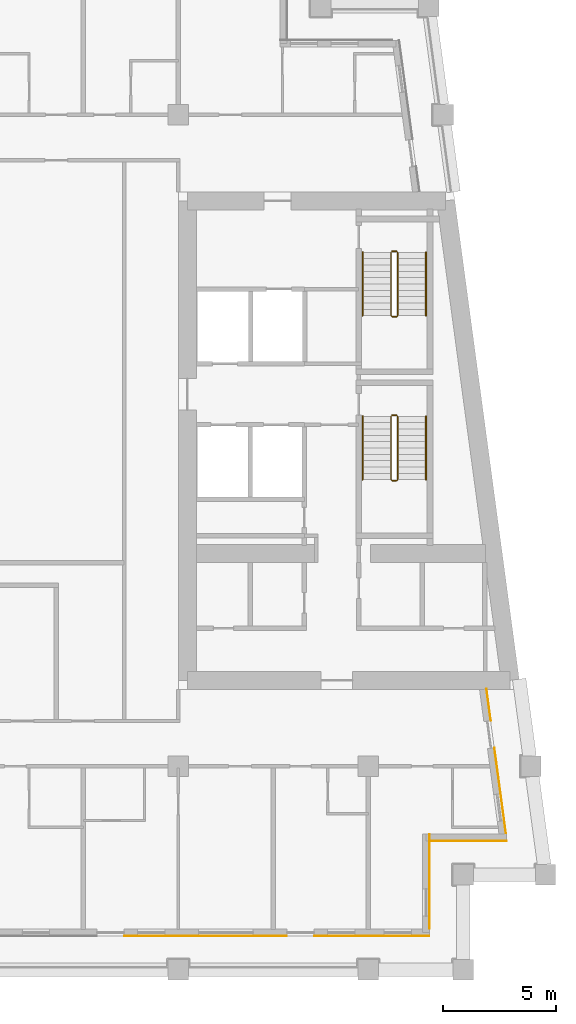
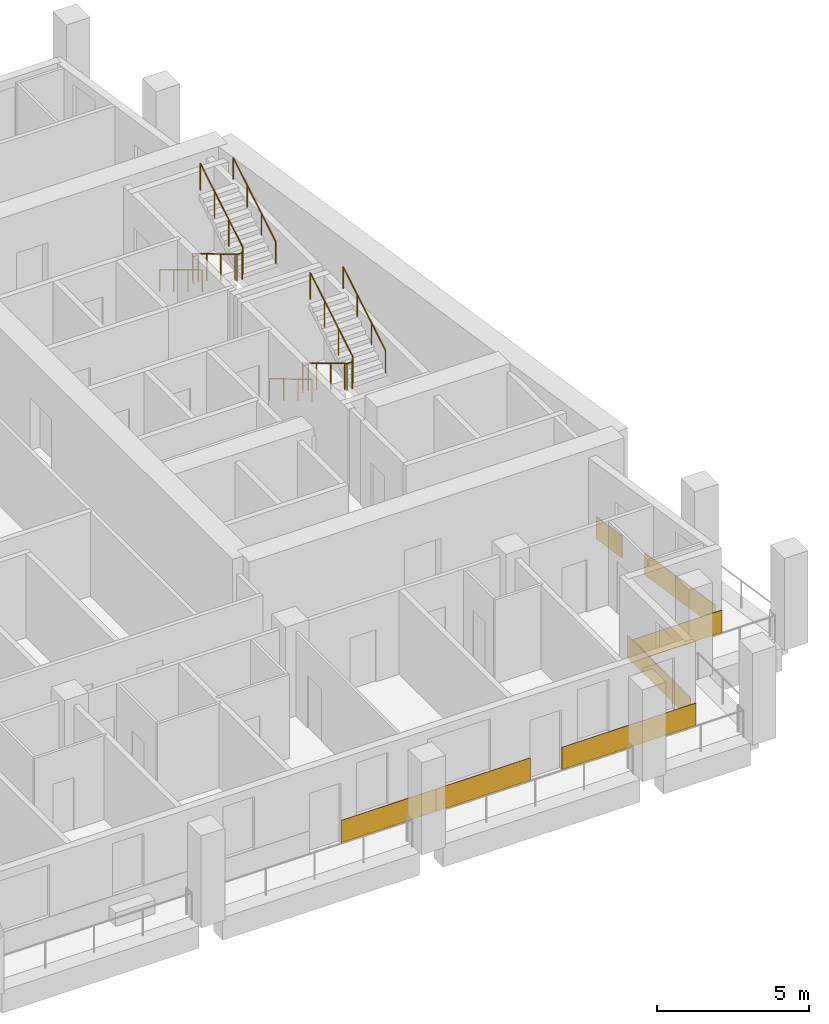
# One storey, part 11 of 13: 8 railings, 7 coverings.
"""IFC4 building model written with IfcOpenShell, lengths in metres."""

from ifc_helpers import new_model, si_unit, direction, frame, origin, origin_2d, place, context, subcontext, project, spatial, rectangle, circle, extrude, material, layer, layer_set, type_object, element, save


model = new_model("IFC4")

# Units and contexts
model_context = context("Model", 3, precision=1e-05, world=origin(), true_north=direction((0.0, 1.0)))
body_context = subcontext(model_context, "Body", "Model", "MODEL_VIEW")
ifc_project = project(units=[si_unit("LENGTHUNIT", "METRE"), si_unit("AREAUNIT", "SQUARE_METRE"), si_unit("VOLUMEUNIT", "CUBIC_METRE"), si_unit("PLANEANGLEUNIT", "RADIAN"), si_unit("MASSUNIT", "GRAM", prefix="KILO")], contexts=[model_context])

# Site, building, storey
site_placement = place(None, origin())
site = spatial("IfcSite", under=ifc_project, at=site_placement, CompositionType="ELEMENT")
building_placement = place(site_placement, origin())
building = spatial("IfcBuilding", under=site, at=building_placement, Name="Candeia Pilgrim Tower and Theatre", CompositionType="ELEMENT")
storey_placement = place(building_placement, frame((0.0, 0.0, 205.89990234375)))
storey = spatial("IfcBuildingStorey", under=building, at=storey_placement, Name="L49", CompositionType="ELEMENT", Elevation=205.89990234375)

# Coverings
ifc_material_1 = material(Name="Glazed ceramic tile bottle green")
ifc_layer_1 = layer(ifc_material_1, 0.02001953125)
ifc_layer_set_1 = layer_set([ifc_layer_1], Name="Glazed ceramic tile bottle green")
covering_type_1 = type_object("IfcCoveringType", Name="Glazed ceramic tile bottle green", PredefinedType="CLADDING", material=ifc_layer_set_1)
covering_1_placement = place(storey_placement, frame((125.39990234375, 99.489990234375, 0.000244140625), z_axis=(0.0, 0.0, 1.0), x_axis=(1.0, 0.0, 0.0)))
element("IfcCovering", 1, at=covering_1_placement, inside=storey, type_object=covering_type_1, Name="Tile cladding bottle green L49", PredefinedType="CLADDING", context=body_context, shape_type="SweptSolid", body=[
    extrude(rectangle(XDim=3.60009765625, YDim=0.02001953125, at=origin_2d()), origin(), (0.0, 0.0, 1.0), 0.89990234375),
])
covering_2_placement = place(storey_placement, frame((137.110107421875, 101.909912109375, 0.000244140625), z_axis=(0.0, 0.0, 1.0), x_axis=(0.0, 1.0, 0.0)))
element("IfcCovering", 2, at=covering_2_placement, inside=storey, type_object=covering_type_1, Name="Tile cladding bottle green L49", PredefinedType="CLADDING", context=body_context, shape_type="SweptSolid", body=[
    extrude(rectangle(XDim=4.179931640625, YDim=0.02001953125, at=origin_2d()), origin(), (0.0, 0.0, 1.0), 0.89990234375),
])
covering_3_placement = place(storey_placement, frame((140.228515625, 105.933349609375, 0.000244140625), z_axis=(0.0, 0.0, 1.0), x_axis=(-0.133412012145, 0.991060661622, 0.0)))
element("IfcCovering", 3, at=covering_3_placement, inside=storey, type_object=covering_type_1, Name="Tile cladding bottle green L49", PredefinedType="CLADDING", context=body_context, shape_type="SweptSolid", body=[
    extrude(rectangle(XDim=3.821044921875, YDim=0.02001953125, at=origin_2d()), origin(), (0.0, 0.0, 1.0), 0.89990234375),
])
covering_4_placement = place(storey_placement, frame((139.718994140625, 109.71875, 0.000244140625), z_axis=(0.0, 0.0, 1.0), x_axis=(-0.133412012145, 0.991060661622, 0.0)))
element("IfcCovering", 4, at=covering_4_placement, inside=storey, type_object=covering_type_1, Name="Tile cladding bottle green L49", PredefinedType="CLADDING", context=body_context, shape_type="SweptSolid", body=[
    extrude(rectangle(XDim=1.41796875, YDim=0.02001953125, at=origin_2d()), origin(), (0.0, 0.0, 1.0), 0.89990234375),
])
ifc_material_2 = material(Name="Glazed ceramic tile rust")
ifc_layer_2 = layer(ifc_material_2, 0.02001953125)
ifc_layer_set_2 = layer_set([ifc_layer_2], Name="Glazed ceramic tile rust")
covering_type_2 = type_object("IfcCoveringType", Name="Glazed ceramic tile rust", PredefinedType="CLADDING", material=ifc_layer_set_2)
covering_5_placement = place(storey_placement, frame((129.0, 99.489990234375, 0.000244140625), z_axis=(0.0, 0.0, 1.0), x_axis=(1.0, 0.0, 0.0)))
element("IfcCovering", 5, at=covering_5_placement, inside=storey, type_object=covering_type_2, Name="Tile cladding rust L49", PredefinedType="CLADDING", context=body_context, shape_type="SweptSolid", body=[
    extrude(rectangle(XDim=3.60009765625, YDim=0.02001953125, at=origin_2d()), origin(), (0.0, 0.0, 1.0), 0.89990234375),
])
covering_6_placement = place(storey_placement, frame((134.550048828125, 99.489990234375, 0.000244140625), z_axis=(0.0, 0.0, 1.0), x_axis=(1.0, 0.0, 0.0)))
element("IfcCovering", 6, at=covering_6_placement, inside=storey, type_object=covering_type_2, Name="Tile cladding rust L49", PredefinedType="CLADDING", context=body_context, shape_type="SweptSolid", body=[
    extrude(rectangle(XDim=5.10009765625, YDim=0.02001953125, at=origin_2d()), origin(), (0.0, 0.0, 1.0), 0.89990234375),
])
covering_7_placement = place(storey_placement, frame((138.819580078125, 103.68994140625, 0.000244140625), z_axis=(0.0, 0.0, 1.0), x_axis=(1.0, 0.0, 0.0)))
element("IfcCovering", 7, at=covering_7_placement, inside=storey, type_object=covering_type_2, Name="Tile cladding rust L49", PredefinedType="CLADDING", context=body_context, shape_type="SweptSolid", body=[
    extrude(rectangle(XDim=3.399169921875, YDim=0.02001953125, at=origin_2d()), origin(), (0.0, 0.0, 1.0), 0.89990234375),
])

# Railings
ifc_material_3 = material(Name="Stainless steel balustrade", Category="steel")
railing_type_1 = type_object("IfcRailingType", Name="RL-GUARD-1100", PredefinedType="GUARDRAIL", material=ifc_material_3)
railing_1_placement = place(storey_placement, frame((135.39794921875, 122.47509765625, 0.168212890625)))
element("IfcRailing", 8, at=railing_1_placement, inside=storey, type_object=railing_type_1, Name="L49 ST3 stair guard 1", PredefinedType="GUARDRAIL", context=body_context, shape_type="SweptSolid", body=[
    extrude(circle(Radius=0.02392578125, at=origin_2d()), frame((0.0, 0.0, 1.076171875), z_axis=(0.0, -0.857242210791, 0.514913383045), x_axis=(1.0, 0.0, 0.0)), (0.0, 0.0, 1.0), 3.266357421875),
    extrude(circle(Radius=0.02392578125, at=origin_2d()), frame((0.0, -2.800048828125, 2.7578125), z_axis=(0.707106781187, -0.707106781187, 0.0), x_axis=(0.707106781187, 0.707106781187, 0.0)), (0.0, 0.0, 1.0), 0.07080078125),
    extrude(circle(Radius=0.02392578125, at=origin_2d()), frame((0.050048828125, -2.85009765625, 2.7578125), z_axis=(1.0, 0.0, 0.0), x_axis=(0.0, 1.0, 0.0)), (0.0, 0.0, 1.0), 0.199951171875),
    extrude(circle(Radius=0.02392578125, at=origin_2d()), frame((0.25, -2.85009765625, 2.7578125), z_axis=(0.274243871929, 0.274243871929, 0.92172696468), x_axis=(-0.707106781187, 0.707106781187, 0.0)), (0.0, 0.0, 1.0), 0.1826171875),
    extrude(circle(Radius=0.02392578125, at=origin_2d()), frame((0.300048828125, -2.800048828125, 2.92626953125), z_axis=(0.0, 0.857242210791, 0.514913383045), x_axis=(-1.0, 0.0, 0.0)), (0.0, 0.0, 1.0), 3.266357421875),
    extrude(circle(Radius=0.02099609375, at=origin_2d()), origin(), (0.0, 0.0, 1.0), 1.052001953125),
    extrude(circle(Radius=0.02099609375, at=origin_2d()), frame((0.0, -0.933349609375, 0.560546875)), (0.0, 0.0, 1.0), 1.052001953125),
    extrude(circle(Radius=0.02099609375, at=origin_2d()), frame((0.0, -1.86669921875, 1.121337890625)), (0.0, 0.0, 1.0), 1.052001953125),
    extrude(circle(Radius=0.02099609375, at=origin_2d()), frame((0.0, -2.800048828125, 1.681884765625)), (0.0, 0.0, 1.0), 1.052001953125),
    extrude(circle(Radius=0.02099609375, at=origin_2d()), frame((0.050048828125, -2.85009765625, 1.681884765625)), (0.0, 0.0, 1.0), 1.052001953125),
    extrude(circle(Radius=0.02099609375, at=origin_2d()), frame((0.25, -2.85009765625, 1.681884765625)), (0.0, 0.0, 1.0), 1.052001953125),
    extrude(circle(Radius=0.02099609375, at=origin_2d()), frame((0.300048828125, -2.800048828125, 1.85009765625)), (0.0, 0.0, 1.0), 1.052001953125),
    extrude(circle(Radius=0.02099609375, at=origin_2d()), frame((0.300048828125, -1.86669921875, 2.41064453125)), (0.0, 0.0, 1.0), 1.052001953125),
    extrude(circle(Radius=0.02099609375, at=origin_2d()), frame((0.300048828125, -0.933349609375, 2.971435546875)), (0.0, 0.0, 1.0), 1.052001953125),
    extrude(circle(Radius=0.02099609375, at=origin_2d()), frame((0.300048828125, 0.0, 3.531982421875)), (0.0, 0.0, 1.0), 1.052001953125),
])
railing_2_placement = place(storey_placement, frame((135.447998046875, 122.52490234375, 0.0)))
element("IfcRailing", 9, at=railing_2_placement, inside=storey, type_object=railing_type_1, Name="L49 ST3 stair guard 2", PredefinedType="GUARDRAIL", context=body_context, shape_type="SweptSolid", body=[
    extrude(circle(Radius=0.02392578125, at=origin_2d()), frame((0.0, 0.0, 1.076171875), z_axis=(1.0, 0.0, 0.0), x_axis=(0.0, 1.0, 0.0)), (0.0, 0.0, 1.0), 0.199951171875),
    extrude(circle(Radius=0.02099609375, at=origin_2d()), origin(), (0.0, 0.0, 1.0), 1.052001953125),
    extrude(circle(Radius=0.02099609375, at=origin_2d()), frame((0.199951171875, 0.0, 0.0)), (0.0, 0.0, 1.0), 1.052001953125),
])
railing_3_placement = place(storey_placement, frame((135.39794921875, 129.72509765625, 0.168212890625)))
element("IfcRailing", 10, at=railing_3_placement, inside=storey, type_object=railing_type_1, Name="L49 ST4 stair guard 1", PredefinedType="GUARDRAIL", context=body_context, shape_type="SweptSolid", body=[
    extrude(circle(Radius=0.02392578125, at=origin_2d()), frame((0.0, 0.0, 1.076171875), z_axis=(0.0, -0.857242210791, 0.514913383045), x_axis=(1.0, 0.0, 0.0)), (0.0, 0.0, 1.0), 3.266357421875),
    extrude(circle(Radius=0.02392578125, at=origin_2d()), frame((0.0, -2.800048828125, 2.7578125), z_axis=(0.707106781187, -0.707106781187, 0.0), x_axis=(0.707106781187, 0.707106781187, 0.0)), (0.0, 0.0, 1.0), 0.07080078125),
    extrude(circle(Radius=0.02392578125, at=origin_2d()), frame((0.050048828125, -2.85009765625, 2.7578125), z_axis=(1.0, 0.0, 0.0), x_axis=(0.0, 1.0, 0.0)), (0.0, 0.0, 1.0), 0.199951171875),
    extrude(circle(Radius=0.02392578125, at=origin_2d()), frame((0.25, -2.85009765625, 2.7578125), z_axis=(0.274243871929, 0.274243871929, 0.92172696468), x_axis=(-0.707106781187, 0.707106781187, 0.0)), (0.0, 0.0, 1.0), 0.1826171875),
    extrude(circle(Radius=0.02392578125, at=origin_2d()), frame((0.300048828125, -2.800048828125, 2.92626953125), z_axis=(0.0, 0.857242210791, 0.514913383045), x_axis=(-1.0, 0.0, 0.0)), (0.0, 0.0, 1.0), 3.266357421875),
    extrude(circle(Radius=0.02099609375, at=origin_2d()), origin(), (0.0, 0.0, 1.0), 1.052001953125),
    extrude(circle(Radius=0.02099609375, at=origin_2d()), frame((0.0, -0.933349609375, 0.560546875)), (0.0, 0.0, 1.0), 1.052001953125),
    extrude(circle(Radius=0.02099609375, at=origin_2d()), frame((0.0, -1.86669921875, 1.121337890625)), (0.0, 0.0, 1.0), 1.052001953125),
    extrude(circle(Radius=0.02099609375, at=origin_2d()), frame((0.0, -2.800048828125, 1.681884765625)), (0.0, 0.0, 1.0), 1.052001953125),
    extrude(circle(Radius=0.02099609375, at=origin_2d()), frame((0.050048828125, -2.85009765625, 1.681884765625)), (0.0, 0.0, 1.0), 1.052001953125),
    extrude(circle(Radius=0.02099609375, at=origin_2d()), frame((0.25, -2.85009765625, 1.681884765625)), (0.0, 0.0, 1.0), 1.052001953125),
    extrude(circle(Radius=0.02099609375, at=origin_2d()), frame((0.300048828125, -2.800048828125, 1.85009765625)), (0.0, 0.0, 1.0), 1.052001953125),
    extrude(circle(Radius=0.02099609375, at=origin_2d()), frame((0.300048828125, -1.86669921875, 2.41064453125)), (0.0, 0.0, 1.0), 1.052001953125),
    extrude(circle(Radius=0.02099609375, at=origin_2d()), frame((0.300048828125, -0.933349609375, 2.971435546875)), (0.0, 0.0, 1.0), 1.052001953125),
    extrude(circle(Radius=0.02099609375, at=origin_2d()), frame((0.300048828125, 0.0, 3.531982421875)), (0.0, 0.0, 1.0), 1.052001953125),
])
railing_4_placement = place(storey_placement, frame((135.447998046875, 129.77490234375, 0.0)))
element("IfcRailing", 11, at=railing_4_placement, inside=storey, type_object=railing_type_1, Name="L49 ST4 stair guard 2", PredefinedType="GUARDRAIL", context=body_context, shape_type="SweptSolid", body=[
    extrude(circle(Radius=0.02392578125, at=origin_2d()), frame((0.0, 0.0, 1.076171875), z_axis=(1.0, 0.0, 0.0), x_axis=(0.0, 1.0, 0.0)), (0.0, 0.0, 1.0), 0.199951171875),
    extrude(circle(Radius=0.02099609375, at=origin_2d()), origin(), (0.0, 0.0, 1.0), 1.052001953125),
    extrude(circle(Radius=0.02099609375, at=origin_2d()), frame((0.199951171875, 0.0, 0.0)), (0.0, 0.0, 1.0), 1.052001953125),
])
ifc_material_4 = material(Name="Stainless steel handrail", Category="steel")
railing_type_2 = type_object("IfcRailingType", Name="RL-HANDRAIL-900", PredefinedType="HANDRAIL", material=ifc_material_4)
railing_5_placement = place(storey_placement, frame((134.14794921875, 122.47509765625, 0.168212890625)))
element("IfcRailing", 12, at=railing_5_placement, inside=storey, type_object=railing_type_2, Name="L49 ST3 stair handrail 1", PredefinedType="HANDRAIL", context=body_context, shape_type="SweptSolid", body=[
    extrude(circle(Radius=0.02392578125, at=origin_2d()), frame((0.0, 0.0, 0.8759765625), z_axis=(0.0, -0.857242210791, 0.514913383045), x_axis=(1.0, 0.0, 0.0)), (0.0, 0.0, 1.0), 3.266357421875),
    extrude(circle(Radius=0.02099609375, at=origin_2d()), origin(), (0.0, 0.0, 1.0), 0.851806640625),
    extrude(circle(Radius=0.02099609375, at=origin_2d()), frame((0.0, -0.933349609375, 0.560546875)), (0.0, 0.0, 1.0), 0.851806640625),
    extrude(circle(Radius=0.02099609375, at=origin_2d()), frame((0.0, -1.86669921875, 1.121337890625)), (0.0, 0.0, 1.0), 0.851806640625),
    extrude(circle(Radius=0.02099609375, at=origin_2d()), frame((0.0, -2.800048828125, 1.681884765625)), (0.0, 0.0, 1.0), 0.851806640625),
])
railing_6_placement = place(storey_placement, frame((136.947998046875, 119.675048828125, 2.018310546875)))
element("IfcRailing", 13, at=railing_6_placement, inside=storey, type_object=railing_type_2, Name="L49 ST3 stair handrail 2", PredefinedType="HANDRAIL", context=body_context, shape_type="SweptSolid", body=[
    extrude(circle(Radius=0.02392578125, at=origin_2d()), frame((0.0, 0.0, 0.8759765625), z_axis=(0.0, 0.857242210791, 0.514913383045), x_axis=(-1.0, 0.0, 0.0)), (0.0, 0.0, 1.0), 3.266357421875),
    extrude(circle(Radius=0.02099609375, at=origin_2d()), origin(), (0.0, 0.0, 1.0), 0.851806640625),
    extrude(circle(Radius=0.02099609375, at=origin_2d()), frame((0.0, 0.933349609375, 0.560546875)), (0.0, 0.0, 1.0), 0.851806640625),
    extrude(circle(Radius=0.02099609375, at=origin_2d()), frame((0.0, 1.86669921875, 1.121337890625)), (0.0, 0.0, 1.0), 0.851806640625),
    extrude(circle(Radius=0.02099609375, at=origin_2d()), frame((0.0, 2.800048828125, 1.681884765625)), (0.0, 0.0, 1.0), 0.851806640625),
])
railing_7_placement = place(storey_placement, frame((134.14794921875, 129.72509765625, 0.168212890625)))
element("IfcRailing", 14, at=railing_7_placement, inside=storey, type_object=railing_type_2, Name="L49 ST4 stair handrail 1", PredefinedType="HANDRAIL", context=body_context, shape_type="SweptSolid", body=[
    extrude(circle(Radius=0.02392578125, at=origin_2d()), frame((0.0, 0.0, 0.8759765625), z_axis=(0.0, -0.857242210791, 0.514913383045), x_axis=(1.0, 0.0, 0.0)), (0.0, 0.0, 1.0), 3.266357421875),
    extrude(circle(Radius=0.02099609375, at=origin_2d()), origin(), (0.0, 0.0, 1.0), 0.851806640625),
    extrude(circle(Radius=0.02099609375, at=origin_2d()), frame((0.0, -0.933349609375, 0.560546875)), (0.0, 0.0, 1.0), 0.851806640625),
    extrude(circle(Radius=0.02099609375, at=origin_2d()), frame((0.0, -1.86669921875, 1.121337890625)), (0.0, 0.0, 1.0), 0.851806640625),
    extrude(circle(Radius=0.02099609375, at=origin_2d()), frame((0.0, -2.800048828125, 1.681884765625)), (0.0, 0.0, 1.0), 0.851806640625),
])
railing_8_placement = place(storey_placement, frame((136.947998046875, 126.925048828125, 2.018310546875)))
element("IfcRailing", 15, at=railing_8_placement, inside=storey, type_object=railing_type_2, Name="L49 ST4 stair handrail 2", PredefinedType="HANDRAIL", context=body_context, shape_type="SweptSolid", body=[
    extrude(circle(Radius=0.02392578125, at=origin_2d()), frame((0.0, 0.0, 0.8759765625), z_axis=(0.0, 0.857242210791, 0.514913383045), x_axis=(-1.0, 0.0, 0.0)), (0.0, 0.0, 1.0), 3.266357421875),
    extrude(circle(Radius=0.02099609375, at=origin_2d()), origin(), (0.0, 0.0, 1.0), 0.851806640625),
    extrude(circle(Radius=0.02099609375, at=origin_2d()), frame((0.0, 0.933349609375, 0.560546875)), (0.0, 0.0, 1.0), 0.851806640625),
    extrude(circle(Radius=0.02099609375, at=origin_2d()), frame((0.0, 1.86669921875, 1.121337890625)), (0.0, 0.0, 1.0), 0.851806640625),
    extrude(circle(Radius=0.02099609375, at=origin_2d()), frame((0.0, 2.800048828125, 1.681884765625)), (0.0, 0.0, 1.0), 0.851806640625),
])

save(model, "model.ifc")
